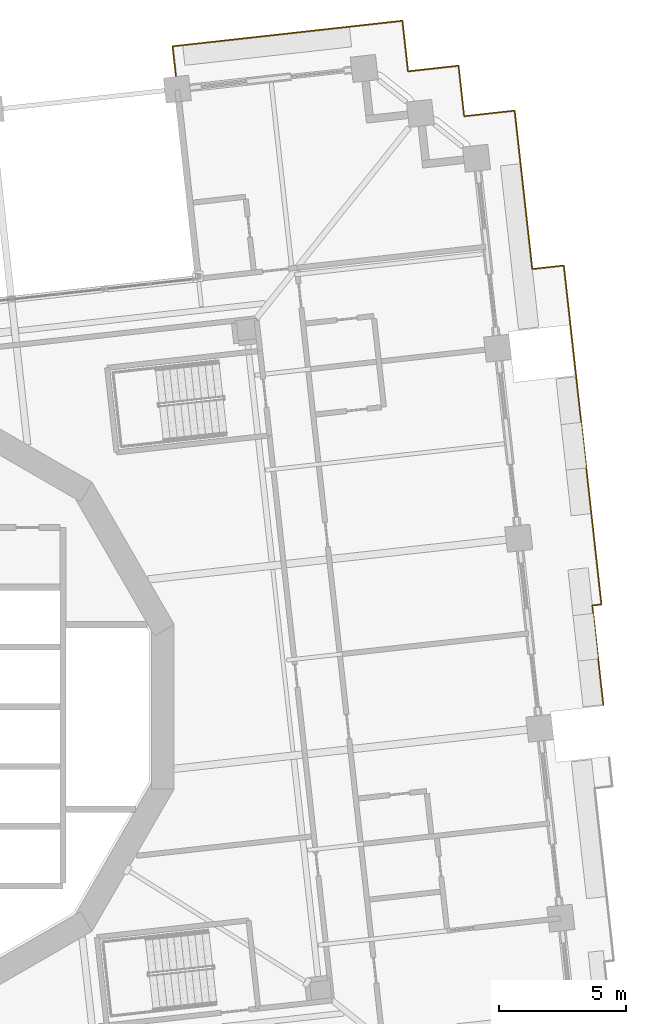
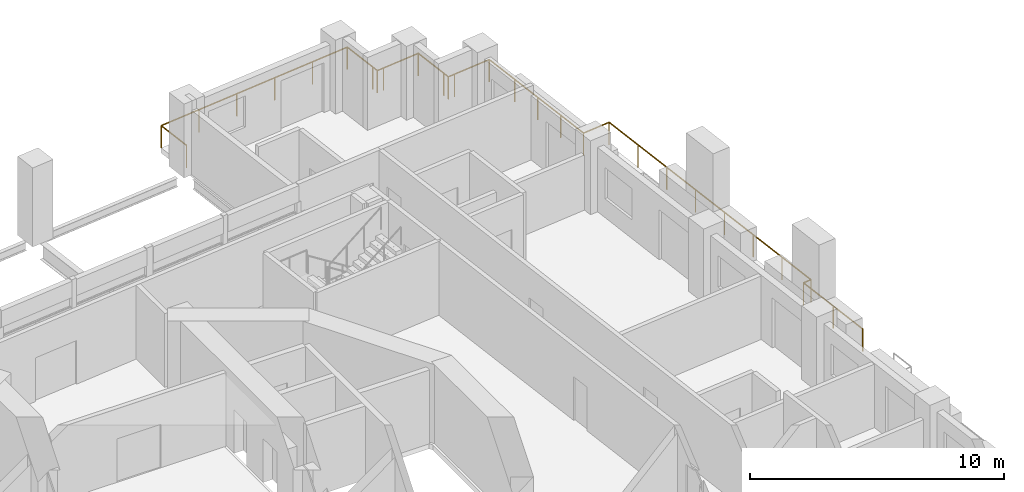
# One storey, part 19 of 20: 1 railing.
"""IFC4 building model written with IfcOpenShell, lengths in metres."""

import ifcopenshell
import ifcopenshell.guid

model = None  # the IFC model being written
_history = None  # IfcOwnerHistory: only IFC2X3 demands one
_inside = {}  # id of a spatial element -> (the spatial element, [elements in it])
_under = {}  # id of a project, library or spatial element -> (it, [spatial elements below it])
_declared = {}  # id of a project -> (the project, [libraries it declares])
_typed = {}  # id of a type object -> (the type object, [elements of that type])
_made_of = {}  # id of a material, layer set ... -> (it, [elements and type objects made of it])


def new_model(schema):
    """Start an empty IFC model of exactly this schema.

    Asked for "IFC4X3", IfcOpenShell would pick the latest addendum, in which some entities
    have other attributes; the version numbers below select the first issue.
    IFC2X3 requires an IfcOwnerHistory on every rooted entity: one is made here for all.
    """
    global model, _history
    if schema == "IFC4X3":
        model = ifcopenshell.file(schema_version=(4, 3, 0, 0))
    else:
        model = ifcopenshell.file(schema=schema)
    _inside.clear()
    _under.clear()
    _declared.clear()
    _typed.clear()
    _made_of.clear()
    _history = None
    if model.schema == "IFC2X3":
        org = make("IfcOrganization", Name="unknown")
        user = make(
            "IfcPersonAndOrganization",
            ThePerson=make("IfcPerson", FamilyName="unknown"),
            TheOrganization=org,
        )
        app = make(
            "IfcApplication",
            ApplicationDeveloper=org,
            Version="unknown",
            ApplicationFullName="unknown",
            ApplicationIdentifier="unknown",
        )
        _history = make(
            "IfcOwnerHistory",
            OwningUser=user,
            OwningApplication=app,
            ChangeAction="ADDED",
            CreationDate=0,
        )
    return model


def make(cls, **values):
    """One entity of the class cls with the attributes given. An attribute that is None is left unset."""
    return model.create_entity(
        cls, **{name: value for name, value in values.items() if value is not None}
    )


def rooted(cls, **values):
    """An entity with a GlobalId (a new one), such as an element, a storey or a relation."""
    return make(cls, GlobalId=ifcopenshell.guid.new(), OwnerHistory=_history, **values)


def si_unit(unit_type, name, prefix=None):
    """IfcSIUnit, for example si_unit("LENGTHUNIT", "METRE", prefix="MILLI")."""
    return make("IfcSIUnit", UnitType=unit_type, Prefix=prefix, Name=name)


def assignment(units):
    """IfcUnitAssignment: the units of a project."""
    return None if units is None else make("IfcUnitAssignment", Units=units)


def point(xyz):
    """IfcCartesianPoint."""
    return None if xyz is None else make("IfcCartesianPoint", Coordinates=xyz)


def direction(xyz):
    """IfcDirection."""
    return None if xyz is None else make("IfcDirection", DirectionRatios=xyz)


def frame(location, z_axis=None, x_axis=None):
    """IfcAxis2Placement3D, a coordinate frame: its origin and axes. An axis left out is left unset."""
    return make(
        "IfcAxis2Placement3D",
        Location=point(location),
        Axis=direction(z_axis),
        RefDirection=direction(x_axis),
    )


def frame_2d(location, x_axis=None):
    """IfcAxis2Placement2D, a coordinate frame in the plane: its origin and x axis."""
    return make(
        "IfcAxis2Placement2D", Location=point(location), RefDirection=direction(x_axis)
    )


def origin():
    """The frame at (0, 0, 0) with its axes left unset."""
    return frame((0.0, 0.0, 0.0))


def origin_2d():
    """The frame at (0, 0) in the plane with its x axis left unset."""
    return frame_2d((0.0, 0.0))


def place(relative_to, where):
    """IfcLocalPlacement: puts the frame where relative to a parent placement (None: the world)."""
    return make(
        "IfcLocalPlacement", PlacementRelTo=relative_to, RelativePlacement=where
    )


def context(
    kind, dimensions, precision=None, world=None, true_north=None, identifier=None
):
    """IfcGeometricRepresentationContext, for example the 3D "Model" context."""
    return make(
        "IfcGeometricRepresentationContext",
        ContextIdentifier=identifier,
        ContextType=kind,
        CoordinateSpaceDimension=dimensions,
        Precision=precision,
        WorldCoordinateSystem=world,
        TrueNorth=true_north,
    )


def subcontext(parent, identifier, kind, view, scale=None):
    """IfcGeometricRepresentationSubContext, for example "Body" below "Model"."""
    return make(
        "IfcGeometricRepresentationSubContext",
        ContextIdentifier=identifier,
        ContextType=kind,
        ParentContext=parent,
        TargetScale=scale,
        TargetView=view,
    )


def project(units=None, contexts=None):
    """IfcProject with its units and contexts."""
    return rooted(
        "IfcProject",
        Name="project",
        RepresentationContexts=contexts,
        UnitsInContext=assignment(units),
    )


def spatial(cls, under=None, at=None, **own):
    """A site, building, storey or space (cls), placed at a placement, below another one or the project."""
    s = rooted(cls, ObjectPlacement=at, **own)
    if under is not None:
        _under.setdefault(under.id(), (under, []))[1].append(s)
    return s


def profile(cls, at=None, kind="AREA", **sizes):
    """A parametric profile (cls). Its sizes go by their IFC names, for example OverallWidth=200.0."""
    return make(cls, ProfileType=kind, Position=at, **sizes)


def circle(**sizes):
    """IfcCircleProfileDef."""
    return profile("IfcCircleProfileDef", **sizes)


def extrude(swept, where, along, depth):
    """IfcExtrudedAreaSolid: the profile swept, set in the frame where, extruded along a direction by depth."""
    return make(
        "IfcExtrudedAreaSolid",
        SweptArea=swept,
        Position=where,
        ExtrudedDirection=direction(along),
        Depth=depth,
    )


def shape(context_of_items, identifier, shape_type, items):
    """IfcShapeRepresentation: the items that make up one representation, for example the "Body"."""
    return make(
        "IfcShapeRepresentation",
        ContextOfItems=context_of_items,
        RepresentationIdentifier=identifier,
        RepresentationType=shape_type,
        Items=items,
    )


def material(Name=None, Category=None):
    """IfcMaterial."""
    return make("IfcMaterial", Name=Name, Category=Category)


def made_of(thing, what):
    """Note that an element or type object is made of a material, layer set ...; save() writes the relation."""
    if what is not None:
        _made_of.setdefault(what.id(), (what, []))[1].append(thing)
    return thing


def type_object(cls, material=None, **own):
    """A type object (cls), such as IfcWallType, which elements share."""
    return made_of(rooted(cls, **own), material)


def element(
    cls,
    number,
    at=None,
    inside=None,
    cuts=None,
    type_object=None,
    material=None,
    context=None,
    identifier="Body",
    shape_type=None,
    held_by="IfcProductDefinitionShape",
    body=None,
    shapes=None,
    **own,
):
    """One element of the class cls, such as IfcWall. Its Tag is "e" and its number.

    at: its placement. inside: the storey or other place that contains it. cuts: it is an
    opening in that element (IfcRelVoidsElement). A single representation is given by context,
    identifier, shape_type and body (its items); several are given by shapes. held_by: the class
    of the entity that holds the representations. save() writes the other relations.
    """
    e = rooted(cls, Tag="e%d" % number, ObjectPlacement=at, **own)
    if body is not None:
        shapes = [shape(context, identifier, shape_type, body)]
    if shapes is not None:
        e.Representation = make(held_by, Representations=shapes)
    if inside is not None:
        _inside.setdefault(inside.id(), (inside, []))[1].append(e)
    if cuts is not None:
        rooted(
            "IfcRelVoidsElement", RelatingBuildingElement=cuts, RelatedOpeningElement=e
        )
    if type_object is not None:
        _typed.setdefault(type_object.id(), (type_object, []))[1].append(e)
    return made_of(e, material)


def aggregate(whole, parts):
    """IfcRelAggregates: a whole, such as a stair, and the parts it consists of."""
    return rooted("IfcRelAggregates", RelatingObject=whole, RelatedObjects=parts)


def save(model, path):
    """Write the relations noted so far, then the file.

    IfcRelAggregates (storeys below a building ...), IfcRelContainedInSpatialStructure (elements
    in a storey), IfcRelDefinesByType, IfcRelAssociatesMaterial and IfcRelDeclares: one each for
    every whole, place, type object, material and project.
    """
    for whole, parts in _under.values():
        aggregate(whole, parts)
    for where, things in _inside.values():
        rooted(
            "IfcRelContainedInSpatialStructure",
            RelatedElements=things,
            RelatingStructure=where,
        )
    for kind, things in _typed.values():
        rooted("IfcRelDefinesByType", RelatedObjects=things, RelatingType=kind)
    for what, things in _made_of.values():
        rooted("IfcRelAssociatesMaterial", RelatedObjects=things, RelatingMaterial=what)
    for by, libraries in _declared.values():
        rooted("IfcRelDeclares", RelatingContext=by, RelatedDefinitions=libraries)
    model.write(path)


model = new_model("IFC4")

# Units and contexts
model_context = context("Model", 3, precision=1e-05, world=origin(), true_north=direction((0.0, 1.0)))
body_context = subcontext(model_context, "Body", "Model", "MODEL_VIEW")
ifc_project = project(units=[si_unit("LENGTHUNIT", "METRE"), si_unit("AREAUNIT", "SQUARE_METRE"), si_unit("VOLUMEUNIT", "CUBIC_METRE"), si_unit("PLANEANGLEUNIT", "RADIAN"), si_unit("MASSUNIT", "GRAM", prefix="KILO")], contexts=[model_context])

# Site, building, storey
site_placement = place(None, origin())
site = spatial("IfcSite", under=ifc_project, at=site_placement, CompositionType="ELEMENT")
building_placement = place(site_placement, origin())
building = spatial("IfcBuilding", under=site, at=building_placement, Name="Cantera Rosa Tower", CompositionType="ELEMENT")
storey_placement = place(building_placement, frame((0.0, 0.0, 50.10009765625)))
storey = spatial("IfcBuildingStorey", under=building, at=storey_placement, Name="L09", CompositionType="ELEMENT", Elevation=50.10009765625)

# Railing
ifc_material = material(Name="Stainless steel and laminated glass", Category="steel")
railing_type = type_object("IfcRailingType", Name="GUARD 1100", PredefinedType="BALUSTRADE", material=ifc_material)
railing_placement = place(storey_placement, frame((12.1923828125, 24.313232421875, 0.0)))
element("IfcRailing", 1, at=railing_placement, inside=storey, type_object=railing_type, Name="GUARD L09-9", PredefinedType="BALUSTRADE", context=body_context, shape_type="SweptSolid", body=[
    extrude(circle(Radius=0.030029296875, at=origin_2d()), frame((0.0, 0.0, 1.070068359375), z_axis=(-0.11028798999, 0.993899672635, 0.0), x_axis=(-0.993899672635, -0.11028798999, 0.0)), (0.0, 0.0, 1.0), 1.68017578125),
    extrude(circle(Radius=0.030029296875, at=origin_2d()), frame((-0.185302734375, 1.669921875, 1.070068359375), z_axis=(0.993899014355, 0.110293922157, 0.0), x_axis=(-0.110293922157, 0.993899014355, 0.0)), (0.0, 0.0, 1.0), 7.39990234375),
    extrude(circle(Radius=0.030029296875, at=origin_2d()), frame((7.16943359375, 2.486083984375, 1.070068359375), z_axis=(0.993883734674, 0.110431526075, 0.0), x_axis=(-0.110431526075, 0.993883734674, 0.0)), (0.0, 0.0, 1.0), 1.7001953125),
    extrude(circle(Radius=0.030029296875, at=origin_2d()), frame((8.859130859375, 2.673828125, 1.070068359375), z_axis=(0.110289669906, -0.993899486222, 0.0), x_axis=(0.993899486222, 0.110289669906, 0.0)), (0.0, 0.0, 1.0), 1.699951171875),
    extrude(circle(Radius=0.030029296875, at=origin_2d()), frame((9.046630859375, 0.984130859375, 1.070068359375), z_axis=(0.110699535641, -0.99385391925, 0.0), x_axis=(0.99385391925, 0.110699535641, 0.0)), (0.0, 0.0, 1.0), 0.300048828125),
    extrude(circle(Radius=0.030029296875, at=origin_2d()), frame((9.079833984375, 0.68603515625, 1.070068359375), z_axis=(0.993943154022, 0.10989543472, 0.0), x_axis=(-0.10989543472, 0.993943154022, 0.0)), (0.0, 0.0, 1.0), 0.2998046875),
    extrude(circle(Radius=0.030029296875, at=origin_2d()), frame((9.3779296875, 0.718994140625, 1.070068359375), z_axis=(0.993899486222, 0.110289669906, 0.0), x_axis=(-0.110289669906, 0.993899486222, 0.0)), (0.0, 0.0, 1.0), 1.699951171875),
    extrude(circle(Radius=0.030029296875, at=origin_2d()), frame((11.067626953125, 0.906494140625, 1.070068359375), z_axis=(0.110305413813, -0.993897739047, 0.0), x_axis=(0.993897739047, 0.110305413813, 0.0)), (0.0, 0.0, 1.0), 1.69970703125),
    extrude(circle(Radius=0.030029296875, at=origin_2d()), frame((11.255126953125, -0.782958984375, 1.070068359375), z_axis=(0.1098065887, -0.993952973273, 0.0), x_axis=(0.993952973273, 0.1098065887, 0.0)), (0.0, 0.0, 1.0), 0.300048828125),
    extrude(circle(Radius=0.030029296875, at=origin_2d()), frame((11.2880859375, -1.081298828125, 1.070068359375), z_axis=(0.993863881828, 0.110610055588, 0.0), x_axis=(-0.110610055588, 0.993863881828, 0.0)), (0.0, 0.0, 1.0), 0.30029296875),
    extrude(circle(Radius=0.030029296875, at=origin_2d()), frame((11.58642578125, -1.048095703125, 1.070068359375), z_axis=(0.993897739047, 0.110305413813, 0.0), x_axis=(-0.110305413813, 0.993897739047, 0.0)), (0.0, 0.0, 1.0), 1.69970703125),
    extrude(circle(Radius=0.030029296875, at=origin_2d()), frame((13.27587890625, -0.860595703125, 1.070068359375), z_axis=(0.110289669906, -0.993899486222, 0.0), x_axis=(0.993899486222, 0.110289669906, 0.0)), (0.0, 0.0, 1.0), 1.699951171875),
    extrude(circle(Radius=0.030029296875, at=origin_2d()), frame((13.46337890625, -2.55029296875, 1.070068359375), z_axis=(0.110355311719, -0.993892199977, 0.0), x_axis=(0.993892199977, 0.110355311719, 0.0)), (0.0, 0.0, 1.0), 4.570556640625),
    extrude(circle(Radius=0.030029296875, at=origin_2d()), frame((13.9677734375, -7.093017578125, 1.070068359375), z_axis=(0.993886117565, 0.110410077944, 0.0), x_axis=(-0.110410077944, 0.993886117565, 0.0)), (0.0, 0.0, 1.0), 1.249267578125),
    extrude(circle(Radius=0.030029296875, at=origin_2d()), frame((15.20947265625, -6.955078125, 1.070068359375), z_axis=(0.110309714757, -0.993897261708, 0.0), x_axis=(0.993897261708, 0.110309714757, 0.0)), (0.0, 0.0, 1.0), 13.418701171875),
    extrude(circle(Radius=0.030029296875, at=origin_2d()), frame((16.689697265625, -20.2919921875, 1.070068359375), z_axis=(-0.993859025053, -0.110653686428, 0.0), x_axis=(0.110653686428, -0.993859025053, 0.0)), (0.0, 0.0, 1.0), 0.36181640625),
    extrude(circle(Radius=0.030029296875, at=origin_2d()), frame((16.330078125, -20.33203125, 1.070068359375), z_axis=(0.11028192342, -0.993900345793, 0.0), x_axis=(0.993900345793, 0.11028192342, 0.0)), (0.0, 0.0, 1.0), 3.9404296875),
    extrude(circle(Radius=0.02490234375, at=origin_2d()), origin(), (0.0, 0.0, 1.0), 1.0400390625),
    extrude(circle(Radius=0.02490234375, at=origin_2d()), frame((-0.185302734375, 1.669921875, 0.0)), (0.0, 0.0, 1.0), 1.0400390625),
    extrude(circle(Radius=0.02490234375, at=origin_2d()), frame((1.6533203125, 1.8740234375, 0.0)), (0.0, 0.0, 1.0), 1.0400390625),
    extrude(circle(Radius=0.02490234375, at=origin_2d()), frame((3.4921875, 2.078125, 0.0)), (0.0, 0.0, 1.0), 1.0400390625),
    extrude(circle(Radius=0.02490234375, at=origin_2d()), frame((5.330810546875, 2.281982421875, 0.0)), (0.0, 0.0, 1.0), 1.0400390625),
    extrude(circle(Radius=0.02490234375, at=origin_2d()), frame((7.16943359375, 2.486083984375, 0.0)), (0.0, 0.0, 1.0), 1.0400390625),
    extrude(circle(Radius=0.02490234375, at=origin_2d()), frame((8.859130859375, 2.673828125, 0.0)), (0.0, 0.0, 1.0), 1.0400390625),
    extrude(circle(Radius=0.02490234375, at=origin_2d()), frame((9.046630859375, 0.984130859375, 0.0)), (0.0, 0.0, 1.0), 1.0400390625),
    extrude(circle(Radius=0.02490234375, at=origin_2d()), frame((9.079833984375, 0.68603515625, 0.0)), (0.0, 0.0, 1.0), 1.0400390625),
    extrude(circle(Radius=0.02490234375, at=origin_2d()), frame((9.3779296875, 0.718994140625, 0.0)), (0.0, 0.0, 1.0), 1.0400390625),
    extrude(circle(Radius=0.02490234375, at=origin_2d()), frame((11.067626953125, 0.906494140625, 0.0)), (0.0, 0.0, 1.0), 1.0400390625),
    extrude(circle(Radius=0.02490234375, at=origin_2d()), frame((11.255126953125, -0.782958984375, 0.0)), (0.0, 0.0, 1.0), 1.0400390625),
    extrude(circle(Radius=0.02490234375, at=origin_2d()), frame((11.2880859375, -1.081298828125, 0.0)), (0.0, 0.0, 1.0), 1.0400390625),
    extrude(circle(Radius=0.02490234375, at=origin_2d()), frame((11.58642578125, -1.048095703125, 0.0)), (0.0, 0.0, 1.0), 1.0400390625),
    extrude(circle(Radius=0.02490234375, at=origin_2d()), frame((13.27587890625, -0.860595703125, 0.0)), (0.0, 0.0, 1.0), 1.0400390625),
    extrude(circle(Radius=0.02490234375, at=origin_2d()), frame((13.46337890625, -2.55029296875, 0.0)), (0.0, 0.0, 1.0), 1.0400390625),
    extrude(circle(Radius=0.02490234375, at=origin_2d()), frame((13.631591796875, -4.064453125, 0.0)), (0.0, 0.0, 1.0), 1.0400390625),
    extrude(circle(Radius=0.02490234375, at=origin_2d()), frame((13.799560546875, -5.578857421875, 0.0)), (0.0, 0.0, 1.0), 1.0400390625),
    extrude(circle(Radius=0.02490234375, at=origin_2d()), frame((13.9677734375, -7.093017578125, 0.0)), (0.0, 0.0, 1.0), 1.0400390625),
    extrude(circle(Radius=0.02490234375, at=origin_2d()), frame((15.20947265625, -6.955078125, 0.0)), (0.0, 0.0, 1.0), 1.0400390625),
    extrude(circle(Radius=0.02490234375, at=origin_2d()), frame((15.4208984375, -8.8603515625, 0.0)), (0.0, 0.0, 1.0), 1.0400390625),
    extrude(circle(Radius=0.02490234375, at=origin_2d()), frame((15.63232421875, -10.765625, 0.0)), (0.0, 0.0, 1.0), 1.0400390625),
    extrude(circle(Radius=0.02490234375, at=origin_2d()), frame((15.84375, -12.6708984375, 0.0)), (0.0, 0.0, 1.0), 1.0400390625),
    extrude(circle(Radius=0.02490234375, at=origin_2d()), frame((16.055419921875, -14.576171875, 0.0)), (0.0, 0.0, 1.0), 1.0400390625),
    extrude(circle(Radius=0.02490234375, at=origin_2d()), frame((16.266845703125, -16.4814453125, 0.0)), (0.0, 0.0, 1.0), 1.0400390625),
    extrude(circle(Radius=0.02490234375, at=origin_2d()), frame((16.478271484375, -18.38671875, 0.0)), (0.0, 0.0, 1.0), 1.0400390625),
    extrude(circle(Radius=0.02490234375, at=origin_2d()), frame((16.689697265625, -20.2919921875, 0.0)), (0.0, 0.0, 1.0), 1.0400390625),
    extrude(circle(Radius=0.02490234375, at=origin_2d()), frame((16.330078125, -20.33203125, 0.0)), (0.0, 0.0, 1.0), 1.0400390625),
    extrude(circle(Radius=0.02490234375, at=origin_2d()), frame((16.54736328125, -22.290283203125, 0.0)), (0.0, 0.0, 1.0), 1.0400390625),
    extrude(circle(Radius=0.02490234375, at=origin_2d()), frame((16.7646484375, -24.24853515625, 0.0)), (0.0, 0.0, 1.0), 1.0400390625),
])

save(model, "model.ifc")
